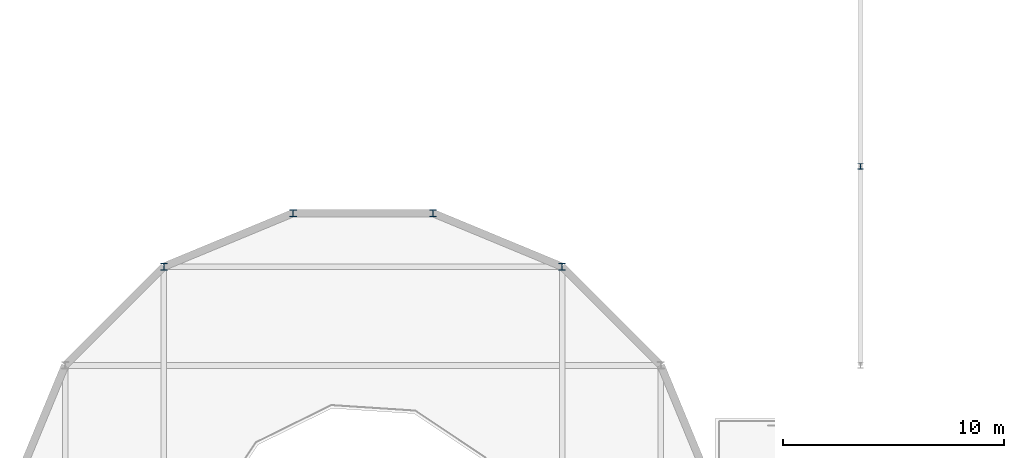
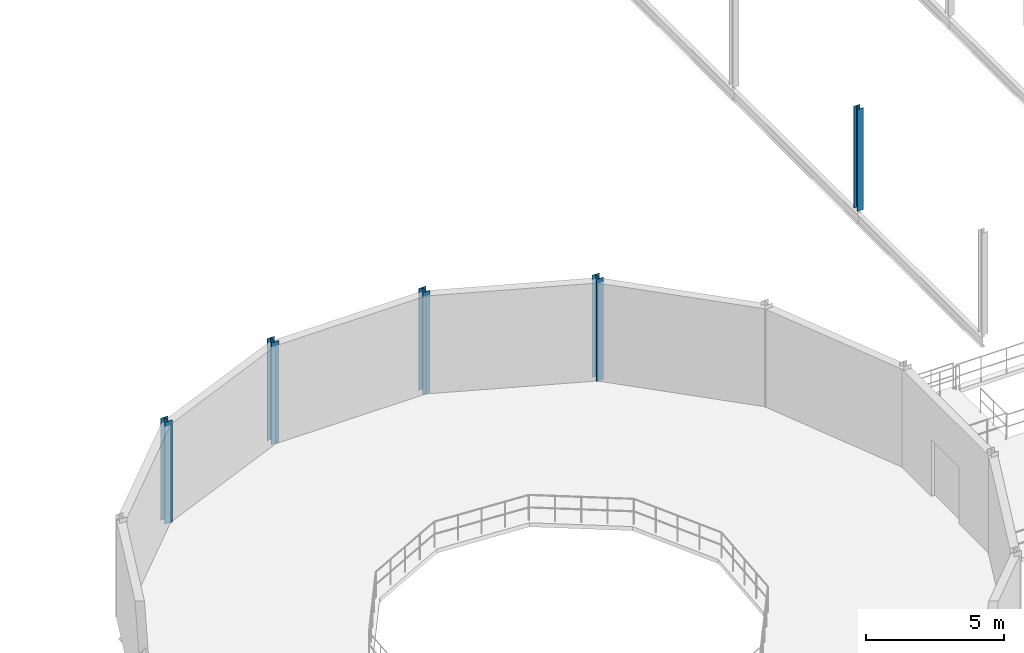
# One storey, part 4 of 130: 5 columns.
"""IFC4 building model written with IfcOpenShell, lengths in metres."""

from ifc_helpers import new_model, si_unit, direction, frame, origin, origin_2d, place, context, subcontext, project, spatial, i_section, extrude, material, material_profile, profile_set, type_object, element, save


model = new_model("IFC4")

# Units and contexts
model_context = context("Model", 3, precision=1e-05, world=origin(), true_north=direction((0.0, 1.0)))
body_context = subcontext(model_context, "Body", "Model", "MODEL_VIEW")
ifc_project = project(units=[si_unit("LENGTHUNIT", "METRE"), si_unit("AREAUNIT", "SQUARE_METRE"), si_unit("VOLUMEUNIT", "CUBIC_METRE"), si_unit("PLANEANGLEUNIT", "RADIAN"), si_unit("MASSUNIT", "GRAM", prefix="KILO"), si_unit("THERMODYNAMICTEMPERATUREUNIT", "KELVIN"), si_unit("POWERUNIT", "WATT")], contexts=[model_context])

# Site, building, storey
site_placement = place(None, origin())
site = spatial("IfcSite", under=ifc_project, at=site_placement, CompositionType="ELEMENT")
building_placement = place(site_placement, origin())
building = spatial("IfcBuilding", under=site, at=building_placement, Name="Tallowbark Science Centre", CompositionType="ELEMENT")
storey_placement = place(building_placement, frame((0.0, 0.0, 5.39990234375)))
storey = spatial("IfcBuildingStorey", under=building, at=storey_placement, Name="L01", CompositionType="ELEMENT", Elevation=5.39990234375)

# Columns
ifc_material = material(Name="Structural Steel Grade 300PLUS (300 MPa)", Category="steel")
ifc_material_profile_1 = material_profile(ifc_material, i_section(OverallWidth=0.256103515625, OverallDepth=0.260009765625, WebThickness=0.010498046875, FlangeThickness=0.017333984375, FilletRadius=0.013916015625, at=origin_2d()), Name="250UC89.5")
ifc_profile_set_1 = profile_set([ifc_material_profile_1], Name="Structural Steel Grade 300PLUS (300 MPa)")
column_type_1 = type_object("IfcColumnType", Name="COL-UC250A", PredefinedType="COLUMN", material=ifc_profile_set_1)
column_placement = place(storey_placement, frame((45.0, 36.0, 0.0), z_axis=(0.0, 0.0, 1.0), x_axis=(1.0, 0.0, 0.0)))
element("IfcColumn", 1, at=column_placement, inside=storey, type_object=column_type_1, Name="Column PAS-W04 L01", PredefinedType="COLUMN", context=body_context, shape_type="SweptSolid", body=[
    extrude(i_section(OverallWidth=0.256103515625, OverallDepth=0.260009765625, WebThickness=0.010498046875, FlangeThickness=0.017333984375, FilletRadius=0.013916015625, at=origin_2d()), origin(), (0.0, 0.0, 1.0), 4.5),
])
ifc_material_profile_2 = material_profile(ifc_material, i_section(OverallWidth=0.307373046875, OverallDepth=0.314697265625, WebThickness=0.011962890625, FlangeThickness=0.018798828125, FilletRadius=0.0166015625, at=origin_2d()), Name="310UC118")
ifc_profile_set_2 = profile_set([ifc_material_profile_2], Name="Structural Steel Grade 300PLUS (300 MPa)")
column_type_2 = type_object("IfcColumnType", Name="PIL-UC310", PredefinedType="PILASTER", material=ifc_profile_set_2)
for number, where, z_axis, x_axis, name in (
    (2, (31.500244140625, 31.4697265625, 0.0), (0.0, 0.0, 1.0), (1.0, 0.0, 0.0), "Column DRM-P03 L01"),
    (3, (25.660400390625, 33.888671875, 0.0), (0.0, 0.0, 1.0), (1.0, 0.0, 0.0), "Column DRM-P04 L01"),
    (4, (19.339599609375, 33.888671875, 0.0), (0.0, 0.0, 1.0), (1.0, 0.0, 0.0), "Column DRM-P05 L01"),
    (5, (13.499755859375, 31.4697265625, 0.0), (0.0, 0.0, 1.0), (1.0, 0.0, 0.0), "Column DRM-P06 L01"),
):
    element("IfcColumn", number, at=place(storey_placement, frame(where, z_axis=z_axis, x_axis=x_axis)), inside=storey, type_object=column_type_2, Name=name, PredefinedType="PILASTER", context=body_context, shape_type="SweptSolid", body=[
        extrude(i_section(OverallWidth=0.307373046875, OverallDepth=0.314697265625, WebThickness=0.011962890625, FlangeThickness=0.018798828125, FilletRadius=0.0166015625, at=origin_2d()), origin(), (0.0, 0.0, 1.0), 4.5),
    ])

save(model, "model.ifc")
